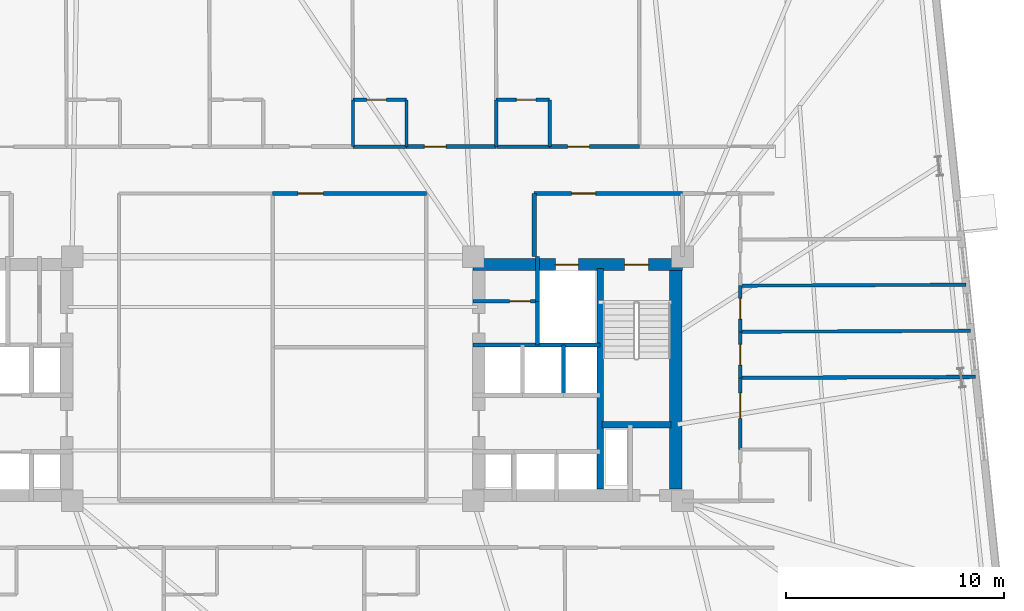
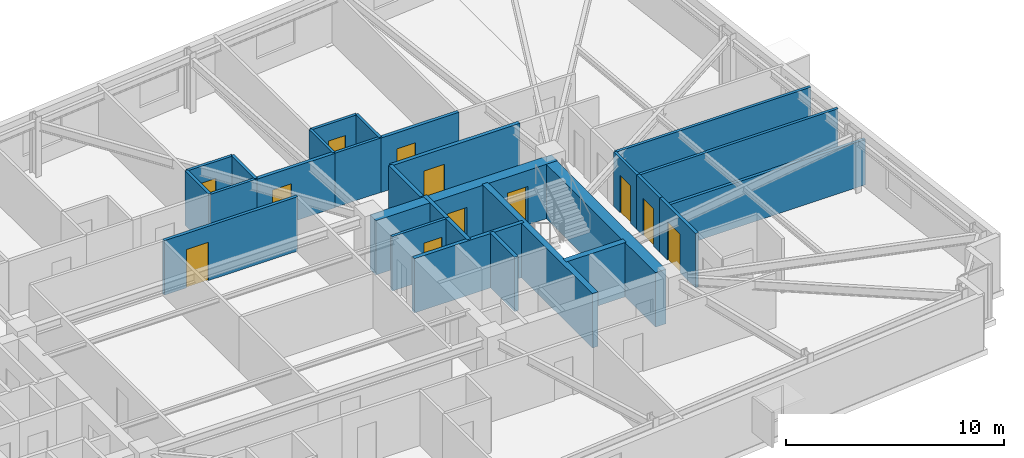
# One storey, part 15 of 20: 28 walls, 12 doors, 12 openings.
"""IFC4 building model written with IfcOpenShell, lengths in metres."""

from ifc_helpers import new_model, si_unit, direction, frame, frame_2d, origin, place, context, subcontext, project, spatial, rectangle, extrude, material, layer, layer_set, type_object, element, fill, save


model = new_model("IFC4")

# Units and contexts
model_context = context("Model", 3, precision=1e-05, world=origin(), true_north=direction((0.0, 1.0)))
body_context = subcontext(model_context, "Body", "Model", "MODEL_VIEW")
ifc_project = project(units=[si_unit("LENGTHUNIT", "METRE"), si_unit("AREAUNIT", "SQUARE_METRE"), si_unit("VOLUMEUNIT", "CUBIC_METRE"), si_unit("PLANEANGLEUNIT", "RADIAN"), si_unit("MASSUNIT", "GRAM", prefix="KILO")], contexts=[model_context])

# Site, building, storey
site_placement = place(None, origin())
site = spatial("IfcSite", under=ifc_project, at=site_placement, CompositionType="ELEMENT")
building_placement = place(site_placement, origin())
building = spatial("IfcBuilding", under=site, at=building_placement, Name="Qobustan Lattice House", CompositionType="ELEMENT")
storey_placement = place(building_placement, frame((0.0, 0.0, 89.050048828125)))
storey = spatial("IfcBuildingStorey", under=building, at=storey_placement, Name="L24", CompositionType="ELEMENT", Elevation=89.050048828125)

# Wall, openings, doors
ifc_material_1 = material(Name="Concrete C60/75", Category="concrete")
ifc_layer_1 = layer(ifc_material_1, 0.56005859375)
ifc_layer_set_1 = layer_set([ifc_layer_1], Name="Concrete C60/75")
wall_type_1 = type_object("IfcWallType", Name="WAL-CORE-600", PredefinedType="SHEAR", material=ifc_layer_set_1)
wall_1_placement = place(storey_placement, frame((9.199951171875, 5.239990234375, 0.0), z_axis=(0.0, 0.0, 1.0), x_axis=(1.0, 0.0, 0.0)))
wall_1 = element("IfcWall", 1, at=wall_1_placement, inside=storey, type_object=wall_type_1, Name="L24 split-core shear wall CE-N", PredefinedType="SHEAR", context=body_context, shape_type="SweptSolid", body=[
    extrude(rectangle(XDim=9.60009765625, YDim=0.56005859375, at=frame_2d((4.800048828125, 0.0))), origin(), (0.0, 0.0, 1.0), 3.044921875),
])
opening_1_placement = place(wall_1_placement, frame((6.949951171875, 0.0, 0.0)))
opening_1 = element("IfcOpeningElement", 2, at=opening_1_placement, cuts=wall_1, Name="Opening SD-01", PredefinedType="OPENING", context=body_context, shape_type="SweptSolid", body=[
    extrude(rectangle(XDim=1.10009765625, YDim=2.14990234375, at=frame_2d((0.550048828125, 1.074951171875))), frame((0.0, 0.2900390625, 0.0), z_axis=(0.0, -1.0, 0.0), x_axis=(1.0, 0.0, 0.0)), (0.0, 0.0, 1.0), 0.580078125),
])
opening_2_placement = place(wall_1_placement, frame((3.77490234375, 0.0, 0.0)))
opening_2 = element("IfcOpeningElement", 3, at=opening_2_placement, cuts=wall_1, Name="Opening LD-01", PredefinedType="OPENING", context=body_context, shape_type="SweptSolid", body=[
    extrude(rectangle(XDim=1.050048828125, YDim=2.10009765625, at=frame_2d((0.52490234375, 1.050048828125))), frame((0.0, 0.2900390625, 0.0), z_axis=(0.0, -1.0, 0.0), x_axis=(1.0, 0.0, 0.0)), (0.0, 0.0, 1.0), 0.580078125),
])
ifc_material_2 = material(Name="Persian walnut timber and steel frame door", Category="steel")
door_type_1 = type_object("IfcDoorType", Name="DOR-LIFT-LD-1050x2100", OperationType="NOTDEFINED", PredefinedType="DOOR", material=ifc_material_2)
door_1_placement = place(opening_2_placement, origin())
door_1 = element("IfcDoor", 4, at=door_1_placement, inside=storey, type_object=door_type_1, Name="L24 firefighting lift FF-E landing door", OperationType="DOUBLE_DOOR_SLIDING", OverallHeight=2.10009765625, OverallWidth=1.050048828125, PredefinedType="DOOR", context=body_context, shape_type="SweptSolid", body=[
    extrude(rectangle(XDim=1.050048828125, YDim=2.10009765625, at=frame_2d((0.52490234375, 1.050048828125))), frame((0.0, 0.02490234375, 0.0), z_axis=(0.0, -1.0, 0.0), x_axis=(1.0, 0.0, 0.0)), (0.0, 0.0, 1.0), 0.050048828125),
])
fill(opening_2, door_1)
ifc_material_3 = material(Name="Persian walnut timber and steel frame door", Category="steel")
door_type_2 = type_object("IfcDoorType", Name="DOR-STAIR-FD-1100x2150", OperationType="NOTDEFINED", PredefinedType="DOOR", material=ifc_material_3)
door_2_placement = place(opening_1_placement, origin())
door_2 = element("IfcDoor", 5, at=door_2_placement, inside=storey, type_object=door_type_2, Name="L24 exit stair ST-E1 fire door", OperationType="SINGLE_SWING_RIGHT", OverallHeight=2.14990234375, OverallWidth=1.10009765625, PredefinedType="DOOR", context=body_context, shape_type="SweptSolid", body=[
    extrude(rectangle(XDim=1.10009765625, YDim=2.14990234375, at=frame_2d((0.550048828125, 1.074951171875))), frame((0.0, 0.02490234375, 0.0), z_axis=(0.0, -1.0, 0.0), x_axis=(1.0, 0.0, 0.0)), (0.0, 0.0, 1.0), 0.050048828125),
])
fill(opening_1, door_2)

# Walls
wall_2_placement = place(storey_placement, frame((18.489990234375, -5.050048828125, 0.0), z_axis=(0.0, 0.0, 1.0), x_axis=(0.0, 1.0, 0.0)))
element("IfcWall", 6, at=wall_2_placement, inside=storey, type_object=wall_type_1, Name="L24 split-core shear wall CE-E", PredefinedType="SHEAR", context=body_context, shape_type="SweptSolid", body=[
    extrude(rectangle(XDim=10.10009765625, YDim=0.56005859375, at=frame_2d((5.050048828125, 0.0))), origin(), (0.0, 0.0, 1.0), 3.044921875),
])
ifc_material_4 = material(Name="Concrete C50/60", Category="concrete")
ifc_layer_2 = layer(ifc_material_4, 0.280029296875)
ifc_layer_set_2 = layer_set([ifc_layer_2], Name="Concrete C50/60")
wall_type_2 = type_object("IfcWallType", Name="WAL-CORE-SPINE-280", PredefinedType="SHEAR", material=ifc_layer_set_2)
wall_3_placement = place(storey_placement, frame((15.02001953125, -5.050048828125, 0.0), z_axis=(0.0, 0.0, 1.0), x_axis=(0.0, 1.0, 0.0)))
element("IfcWall", 7, at=wall_3_placement, inside=storey, type_object=wall_type_2, Name="L24 split-core shear wall CE-M", PredefinedType="SHEAR", context=body_context, shape_type="SweptSolid", body=[
    extrude(rectangle(XDim=10.10009765625, YDim=0.300048828125, at=frame_2d((5.050048828125, 0.0))), origin(), (0.0, 0.0, 1.0), 3.044921875),
])
wall_4_placement = place(storey_placement, frame((15.10009765625, -2.110107421875, 0.0), z_axis=(0.0, 0.0, 1.0), x_axis=(1.0, 0.0, 0.0)))
element("IfcWall", 8, at=wall_4_placement, inside=storey, type_object=wall_type_2, Name="L24 split-core shear wall CE-ST", PredefinedType="SHEAR", context=body_context, shape_type="SweptSolid", body=[
    extrude(rectangle(XDim=3.179931640625, YDim=0.300048828125, at=frame_2d((1.58984375, 0.0))), origin(), (0.0, 0.0, 1.0), 3.044921875),
])

# Wall, opening, door
ifc_material_5 = material(Name="Gypsum fireboard acoustic partition", Category="gypsum")
ifc_layer_3 = layer(ifc_material_5, 0.179931640625)
ifc_layer_set_3 = layer_set([ifc_layer_3], Name="Gypsum fireboard acoustic partition")
wall_type_3 = type_object("IfcWallType", Name="WAL-FIRE-180", PredefinedType="PARTITIONING", material=ifc_layer_set_3)
wall_5_placement = place(storey_placement, frame((6.135986328125, 10.64990234375, 0.0), z_axis=(0.0, 0.0, 1.0), x_axis=(1.0, 0.0, 0.0)))
wall_5 = element("IfcWall", 9, at=wall_5_placement, inside=storey, type_object=wall_type_3, Name="L24 interior partition 51", PredefinedType="PARTITIONING", context=body_context, shape_type="SweptSolid", body=[
    extrude(rectangle(XDim=4.12109375, YDim=0.179931640625, at=frame_2d((2.060546875, 0.0))), origin(), (0.0, 0.0, 1.0), 3.044921875),
])
opening_3_placement = place(wall_5_placement, frame((0.8251953125, 0.0, 0.0)))
opening_3 = element("IfcOpeningElement", 10, at=opening_3_placement, cuts=wall_5, Name="Opening FD-02", PredefinedType="OPENING", context=body_context, shape_type="SweptSolid", body=[
    extrude(rectangle(XDim=1.0, YDim=2.14990234375, at=frame_2d((0.5, 1.074951171875))), frame((0.0, 0.099853515625, 0.0), z_axis=(0.0, -1.0, 0.0), x_axis=(1.0, 0.0, 0.0)), (0.0, 0.0, 1.0), 0.199951171875),
])
ifc_material_6 = material(Name="Persian walnut timber and steel frame door", Category="steel")
door_type_3 = type_object("IfcDoorType", Name="DOR-UNIT-FD-1000x2150", OperationType="NOTDEFINED", PredefinedType="DOOR", material=ifc_material_6)
door_3_placement = place(opening_3_placement, origin())
door_3 = element("IfcDoor", 11, at=door_3_placement, inside=storey, type_object=door_type_3, Name="L24 North-east floor corridor to Kitchenette and studio apartment L24-N5 door", OperationType="SINGLE_SWING_RIGHT", OverallHeight=2.14990234375, OverallWidth=1.0, PredefinedType="DOOR", context=body_context, shape_type="SweptSolid", body=[
    extrude(rectangle(XDim=1.0, YDim=2.14990234375, at=frame_2d((0.5, 1.074951171875))), frame((0.0, 0.02490234375, 0.0), z_axis=(0.0, -1.0, 0.0), x_axis=(1.0, 0.0, 0.0)), (0.0, 0.0, 1.0), 0.050048828125),
])
fill(opening_3, door_3)

wall_6_placement = place(storey_placement, frame((12.70703125, 10.64990234375, 0.0), z_axis=(0.0, 0.0, 1.0), x_axis=(1.0, 0.0, 0.0)))
wall_6 = element("IfcWall", 12, at=wall_6_placement, inside=storey, type_object=wall_type_3, Name="L24 interior partition 53", PredefinedType="PARTITIONING", context=body_context, shape_type="SweptSolid", body=[
    extrude(rectangle(XDim=4.1220703125, YDim=0.179931640625, at=frame_2d((2.06103515625, 0.0))), origin(), (0.0, 0.0, 1.0), 3.044921875),
])
opening_4_placement = place(wall_6_placement, frame((0.8251953125, 0.0, 0.0)))
opening_4 = element("IfcOpeningElement", 13, at=opening_4_placement, cuts=wall_6, Name="Opening FD-02", PredefinedType="OPENING", context=body_context, shape_type="SweptSolid", body=[
    extrude(rectangle(XDim=1.0, YDim=2.14990234375, at=frame_2d((0.5, 1.074951171875))), frame((0.0, 0.099853515625, 0.0), z_axis=(0.0, -1.0, 0.0), x_axis=(1.0, 0.0, 0.0)), (0.0, 0.0, 1.0), 0.199951171875),
])
door_4_placement = place(opening_4_placement, origin())
door_4 = element("IfcDoor", 14, at=door_4_placement, inside=storey, type_object=door_type_3, Name="L24 North-east floor corridor to Kitchenette and studio apartment L24-N6 door", OperationType="SINGLE_SWING_LEFT", OverallHeight=2.14990234375, OverallWidth=1.0, PredefinedType="DOOR", context=body_context, shape_type="SweptSolid", body=[
    extrude(rectangle(XDim=1.0, YDim=2.14990234375, at=frame_2d((0.5, 1.074951171875))), frame((0.0, 0.02490234375, 0.0), z_axis=(0.0, -1.0, 0.0), x_axis=(1.0, 0.0, 0.0)), (0.0, 0.0, 1.0), 0.050048828125),
])
fill(opening_4, door_4)

ifc_material_7 = material(Name="Acoustic twin-stud gypsum partition", Category="gypsum")
ifc_layer_4 = layer(ifc_material_7, 0.14990234375)
ifc_layer_set_4 = layer_set([ifc_layer_4], Name="Acoustic twin-stud gypsum partition")
wall_type_4 = type_object("IfcWallType", Name="WAL-PART-150", PredefinedType="PARTITIONING", material=ifc_layer_set_4)
wall_7_placement = place(storey_placement, frame((12.14990234375, 3.550048828125, 0.0), z_axis=(0.0, 0.0, 1.0), x_axis=(-1.0, 0.0, 0.0)))
wall_7 = element("IfcWall", 15, at=wall_7_placement, inside=storey, type_object=wall_type_4, Name="L24 interior partition 25", PredefinedType="PARTITIONING", context=body_context, shape_type="SweptSolid", body=[
    extrude(rectangle(XDim=2.949951171875, YDim=0.14990234375, at=frame_2d((1.47509765625, 0.0))), origin(), (0.0, 0.0, 1.0), 3.044921875),
])
opening_5_placement = place(wall_7_placement, frame((0.324951171875, 0.0, 0.0)))
opening_5 = element("IfcOpeningElement", 16, at=opening_5_placement, cuts=wall_7, Name="Opening ID-01", PredefinedType="OPENING", context=body_context, shape_type="SweptSolid", body=[
    extrude(rectangle(XDim=0.949951171875, YDim=2.10009765625, at=frame_2d((0.47509765625, 1.050048828125))), frame((0.0, 0.0849609375, 0.0), z_axis=(0.0, -1.0, 0.0), x_axis=(1.0, 0.0, 0.0)), (0.0, 0.0, 1.0), 0.169921875),
])
ifc_material_8 = material(Name="Persian walnut timber and steel frame door", Category="steel")
door_type_4 = type_object("IfcDoorType", Name="DOR-ROOM-950x2100", OperationType="NOTDEFINED", PredefinedType="DOOR", material=ifc_material_8)
door_5_placement = place(opening_5_placement, origin())
door_5 = element("IfcDoor", 17, at=door_5_placement, inside=storey, type_object=door_type_4, Name="L24 Housekeeping utility foyer to Cleaner cupboard door", OperationType="SINGLE_SWING_RIGHT", OverallHeight=2.10009765625, OverallWidth=0.949951171875, PredefinedType="DOOR", context=body_context, shape_type="SweptSolid", body=[
    extrude(rectangle(XDim=0.949951171875, YDim=2.10009765625, at=frame_2d((0.47509765625, 1.050048828125))), frame((0.0, 0.02490234375, 0.0), z_axis=(0.0, -1.0, 0.0), x_axis=(1.0, 0.0, 0.0)), (0.0, 0.0, 1.0), 0.050048828125),
])
fill(opening_5, door_5)

wall_8_placement = place(storey_placement, frame((21.449951171875, 2.155029296875, 0.0), z_axis=(0.0, 0.0, 1.0), x_axis=(0.0, -1.0, 0.0)))
wall_8 = element("IfcWall", 18, at=wall_8_placement, inside=storey, type_object=wall_type_4, Name="L24 interior partition 87", PredefinedType="PARTITIONING", context=body_context, shape_type="SweptSolid", body=[
    extrude(rectangle(XDim=2.114990234375, YDim=0.14990234375, at=frame_2d((1.0576171875, 0.0))), origin(), (0.0, 0.0, 1.0), 3.044921875),
])
opening_6_placement = place(wall_8_placement, frame((0.58251953125, 0.0, 0.0)))
opening_6 = element("IfcOpeningElement", 19, at=opening_6_placement, cuts=wall_8, Name="Opening ID-01", PredefinedType="OPENING", context=body_context, shape_type="SweptSolid", body=[
    extrude(rectangle(XDim=0.949951171875, YDim=2.10009765625, at=frame_2d((0.47509765625, 1.050048828125))), frame((0.0, 0.0849609375, 0.0), z_axis=(0.0, -1.0, 0.0), x_axis=(1.0, 0.0, 0.0)), (0.0, 0.0, 1.0), 0.169921875),
])
door_6_placement = place(opening_6_placement, origin())
door_6 = element("IfcDoor", 20, at=door_6_placement, inside=storey, type_object=door_type_4, Name="L24 Residence entrance hall L24E to Cluster bedroom L24E1 door", OperationType="SINGLE_SWING_LEFT", OverallHeight=2.10009765625, OverallWidth=0.949951171875, PredefinedType="DOOR", context=body_context, shape_type="SweptSolid", body=[
    extrude(rectangle(XDim=0.949951171875, YDim=2.10009765625, at=frame_2d((0.47509765625, 1.050048828125))), frame((0.0, 0.02490234375, 0.0), z_axis=(0.0, -1.0, 0.0), x_axis=(1.0, 0.0, 0.0)), (0.0, 0.0, 1.0), 0.050048828125),
])
fill(opening_6, door_6)

wall_9_placement = place(storey_placement, frame((21.449951171875, 4.27001953125, 0.0), z_axis=(0.0, 0.0, 1.0), x_axis=(0.0, -1.0, 0.0)))
wall_9 = element("IfcWall", 21, at=wall_9_placement, inside=storey, type_object=wall_type_4, Name="L24 interior partition 88", PredefinedType="PARTITIONING", context=body_context, shape_type="SweptSolid", body=[
    extrude(rectangle(XDim=2.114990234375, YDim=0.14990234375, at=frame_2d((1.0576171875, 0.0))), origin(), (0.0, 0.0, 1.0), 3.044921875),
])
opening_7_placement = place(wall_9_placement, frame((0.58251953125, 0.0, 0.0)))
opening_7 = element("IfcOpeningElement", 22, at=opening_7_placement, cuts=wall_9, Name="Opening ID-01", PredefinedType="OPENING", context=body_context, shape_type="SweptSolid", body=[
    extrude(rectangle(XDim=0.949951171875, YDim=2.10009765625, at=frame_2d((0.47509765625, 1.050048828125))), frame((0.0, 0.0849609375, 0.0), z_axis=(0.0, -1.0, 0.0), x_axis=(1.0, 0.0, 0.0)), (0.0, 0.0, 1.0), 0.169921875),
])
door_7_placement = place(opening_7_placement, origin())
door_7 = element("IfcDoor", 23, at=door_7_placement, inside=storey, type_object=door_type_4, Name="L24 Residence entrance hall L24E to Cluster bedroom L24E2 door", OperationType="SINGLE_SWING_RIGHT", OverallHeight=2.10009765625, OverallWidth=0.949951171875, PredefinedType="DOOR", context=body_context, shape_type="SweptSolid", body=[
    extrude(rectangle(XDim=0.949951171875, YDim=2.10009765625, at=frame_2d((0.47509765625, 1.050048828125))), frame((0.0, 0.02490234375, 0.0), z_axis=(0.0, -1.0, 0.0), x_axis=(1.0, 0.0, 0.0)), (0.0, 0.0, 1.0), 0.050048828125),
])
fill(opening_7, door_7)

# Walls
wall_10_placement = place(storey_placement, frame((21.449951171875, 2.155029296875, 0.0), z_axis=(0.0, 0.0, 1.0), x_axis=(0.999991365588, 0.004155568413, 0.0)))
element("IfcWall", 24, at=wall_10_placement, inside=storey, type_object=wall_type_4, Name="L24 interior partition 94", PredefinedType="PARTITIONING", context=body_context, shape_type="SweptSolid", body=[
    extrude(rectangle(XDim=10.574951171875, YDim=0.14990234375, at=frame_2d((5.28759765625, 0.0))), origin(), (0.0, 0.0, 1.0), 3.044921875),
])
wall_11_placement = place(storey_placement, frame((21.449951171875, 4.27001953125, 0.0), z_axis=(0.0, 0.0, 1.0), x_axis=(0.999990991033, 0.004244744214, 0.0)))
element("IfcWall", 25, at=wall_11_placement, inside=storey, type_object=wall_type_4, Name="L24 interior partition 95", PredefinedType="PARTITIONING", context=body_context, shape_type="SweptSolid", body=[
    extrude(rectangle(XDim=10.352783203125, YDim=0.14990234375, at=frame_2d((5.17626953125, 0.0))), origin(), (0.0, 0.0, 1.0), 3.044921875),
])

# Wall, opening, door
ifc_material_9 = material(Name="High-mass acoustic twin-stud partition", Category="gypsum")
ifc_layer_5 = layer(ifc_material_9, 0.1650390625)
ifc_layer_set_5 = layer_set([ifc_layer_5], Name="High-mass acoustic twin-stud partition")
wall_type_5 = type_object("IfcWallType", Name="WAL-PART-165", PredefinedType="PARTITIONING", material=ifc_layer_set_5)
wall_12_placement = place(storey_placement, frame((7.050048828125, 8.5, 0.0), z_axis=(0.0, 0.0, 1.0), x_axis=(-1.0, 0.0, 0.0)))
wall_12 = element("IfcWall", 26, at=wall_12_placement, inside=storey, type_object=wall_type_5, Name="L24 interior partition 56", PredefinedType="PARTITIONING", context=body_context, shape_type="SweptSolid", body=[
    extrude(rectangle(XDim=7.050048828125, YDim=0.1650390625, at=frame_2d((3.52490234375, 0.0))), origin(), (0.0, 0.0, 1.0), 3.044921875),
])
opening_8_placement = place(wall_12_placement, frame((4.7275390625, 0.0, 0.0)))
opening_8 = element("IfcOpeningElement", 27, at=opening_8_placement, cuts=wall_12, Name="Opening ID-03", PredefinedType="OPENING", context=body_context, shape_type="SweptSolid", body=[
    extrude(rectangle(XDim=1.14990234375, YDim=2.14990234375, at=frame_2d((0.574951171875, 1.074951171875))), frame((0.0, 0.092529296875, 0.0), z_axis=(0.0, -1.0, 0.0), x_axis=(1.0, 0.0, 0.0)), (0.0, 0.0, 1.0), 0.18505859375),
])
ifc_material_10 = material(Name="Persian walnut timber and steel frame door", Category="steel")
door_type_5 = type_object("IfcDoorType", Name="DOR-KITCH-1150x2150", OperationType="NOTDEFINED", PredefinedType="DOOR", material=ifc_material_10)
door_8_placement = place(opening_8_placement, origin())
door_8 = element("IfcDoor", 28, at=door_8_placement, inside=storey, type_object=door_type_5, Name="L24 North-east floor corridor to Communal kitchen dining door", OperationType="SINGLE_SWING_LEFT", OverallHeight=2.14990234375, OverallWidth=1.14990234375, PredefinedType="DOOR", context=body_context, shape_type="SweptSolid", body=[
    extrude(rectangle(XDim=1.14990234375, YDim=2.14990234375, at=frame_2d((0.574951171875, 1.074951171875))), frame((0.0, 0.02490234375, 0.0), z_axis=(0.0, -1.0, 0.0), x_axis=(1.0, 0.0, 0.0)), (0.0, 0.0, 1.0), 0.050048828125),
])
fill(opening_8, door_8)

wall_13_placement = place(storey_placement, frame((21.449951171875, 0.0400390625, 0.0), z_axis=(0.0, 0.0, 1.0), x_axis=(0.0, -1.0, 0.0)))
wall_13 = element("IfcWall", 29, at=wall_13_placement, inside=storey, type_object=wall_type_5, Name="L24 interior partition 86", PredefinedType="PARTITIONING", context=body_context, shape_type="SweptSolid", body=[
    extrude(rectangle(XDim=3.2900390625, YDim=0.1650390625, at=frame_2d((1.64501953125, 0.0))), origin(), (0.0, 0.0, 1.0), 3.044921875),
])
opening_9_placement = place(wall_13_placement, frame((0.702392578125, 0.0, 0.0)))
opening_9 = element("IfcOpeningElement", 30, at=opening_9_placement, cuts=wall_13, Name="Opening ID-03", PredefinedType="OPENING", context=body_context, shape_type="SweptSolid", body=[
    extrude(rectangle(XDim=1.14990234375, YDim=2.14990234375, at=frame_2d((0.574951171875, 1.074951171875))), frame((0.0, 0.092529296875, 0.0), z_axis=(0.0, -1.0, 0.0), x_axis=(1.0, 0.0, 0.0)), (0.0, 0.0, 1.0), 0.18505859375),
])
door_9_placement = place(opening_9_placement, origin())
door_9 = element("IfcDoor", 31, at=door_9_placement, inside=storey, type_object=door_type_5, Name="L24 Residence entrance hall L24E to Shared kitchen L24E door", OperationType="SINGLE_SWING_RIGHT", OverallHeight=2.14990234375, OverallWidth=1.14990234375, PredefinedType="DOOR", context=body_context, shape_type="SweptSolid", body=[
    extrude(rectangle(XDim=1.14990234375, YDim=2.14990234375, at=frame_2d((0.574951171875, 1.074951171875))), frame((0.0, 0.02490234375, 0.0), z_axis=(0.0, -1.0, 0.0), x_axis=(1.0, 0.0, 0.0)), (0.0, 0.0, 1.0), 0.050048828125),
])
fill(opening_9, door_9)

# Wall
wall_14_placement = place(storey_placement, frame((21.449951171875, 0.0400390625, 0.0), z_axis=(0.0, 0.0, 1.0), x_axis=(0.999991717636, 0.004069970361, 0.0)))
element("IfcWall", 32, at=wall_14_placement, inside=storey, type_object=wall_type_5, Name="L24 interior partition 93", PredefinedType="PARTITIONING", context=body_context, shape_type="SweptSolid", body=[
    extrude(rectangle(XDim=10.79736328125, YDim=0.1650390625, at=frame_2d((5.398681640625, 0.0))), origin(), (0.0, 0.0, 1.0), 2.530029296875),
])

# Wall, opening, door
ifc_material_11 = material(Name="Two-hour gypsum fireboard acoustic partition", Category="gypsum")
ifc_layer_6 = layer(ifc_material_11, 0.199951171875)
ifc_layer_set_6 = layer_set([ifc_layer_6], Name="Two-hour gypsum fireboard acoustic partition")
wall_type_6 = type_object("IfcWallType", Name="WAL-PROT-200", PredefinedType="PARTITIONING", material=ifc_layer_set_6)
wall_15_placement = place(storey_placement, frame((18.800048828125, 8.5, 0.0), z_axis=(0.0, 0.0, 1.0), x_axis=(-1.0, 0.0, 0.0)))
wall_15 = element("IfcWall", 33, at=wall_15_placement, inside=storey, type_object=wall_type_6, Name="L24 interior partition 22", PredefinedType="PARTITIONING", context=body_context, shape_type="SweptSolid", body=[
    extrude(rectangle(XDim=6.800048828125, YDim=0.199951171875, at=frame_2d((3.39990234375, 0.0))), origin(), (0.0, 0.0, 1.0), 3.044921875),
])
opening_10_placement = place(wall_15_placement, frame((3.985107421875, 0.0, 0.0)))
opening_10 = element("IfcOpeningElement", 34, at=opening_10_placement, cuts=wall_15, Name="Opening SD-01", PredefinedType="OPENING", context=body_context, shape_type="SweptSolid", body=[
    extrude(rectangle(XDim=1.10009765625, YDim=2.14990234375, at=frame_2d((0.550048828125, 1.074951171875))), frame((0.0, 0.10986328125, 0.0), z_axis=(0.0, -1.0, 0.0), x_axis=(1.0, 0.0, 0.0)), (0.0, 0.0, 1.0), 0.219970703125),
])
door_10_placement = place(opening_10_placement, origin())
door_10 = element("IfcDoor", 35, at=door_10_placement, inside=storey, type_object=door_type_2, Name="L24 East firefighting lift lobby to North-east floor corridor door", OperationType="SINGLE_SWING_LEFT", OverallHeight=2.14990234375, OverallWidth=1.10009765625, PredefinedType="DOOR", context=body_context, shape_type="SweptSolid", body=[
    extrude(rectangle(XDim=1.10009765625, YDim=2.14990234375, at=frame_2d((0.550048828125, 1.074951171875))), frame((0.0, 0.02490234375, 0.0), z_axis=(0.0, -1.0, 0.0), x_axis=(1.0, 0.0, 0.0)), (0.0, 0.0, 1.0), 0.050048828125),
])
fill(opening_10, door_10)

# Walls
wall_16_placement = place(storey_placement, frame((12.0, 8.5, 0.0), z_axis=(0.0, 0.0, 1.0), x_axis=(0.0, -1.0, 0.0)))
element("IfcWall", 36, at=wall_16_placement, inside=storey, type_object=wall_type_6, Name="L24 interior partition 23", PredefinedType="PARTITIONING", context=body_context, shape_type="SweptSolid", body=[
    extrude(rectangle(XDim=2.89990234375, YDim=0.199951171875, at=frame_2d((1.449951171875, 0.0))), origin(), (0.0, 0.0, 1.0), 3.044921875),
])
ifc_material_12 = material(Name="Concrete C40/50", Category="concrete")
ifc_layer_7 = layer(ifc_material_12, 0.199951171875)
ifc_layer_set_7 = layer_set([ifc_layer_7], Name="Concrete C40/50")
wall_type_7 = type_object("IfcWallType", Name="WAL-SHAFT-200", PredefinedType="PARTITIONING", material=ifc_layer_set_7)
wall_17_placement = place(storey_placement, frame((12.14990234375, 3.550048828125, 0.0), z_axis=(0.0, 0.0, 1.0), x_axis=(0.0, -1.0, 0.0)))
element("IfcWall", 37, at=wall_17_placement, inside=storey, type_object=wall_type_7, Name="L24 interior partition 20", PredefinedType="PARTITIONING", context=body_context, shape_type="SweptSolid", body=[
    extrude(rectangle(XDim=2.0, YDim=0.199951171875, at=frame_2d((1.0, 0.0))), origin(), (0.0, 0.0, 1.0), 3.044921875),
])
wall_18_placement = place(storey_placement, frame((12.14990234375, 5.60009765625, 0.0), z_axis=(0.0, 0.0, 1.0), x_axis=(0.0, -1.0, 0.0)))
element("IfcWall", 38, at=wall_18_placement, inside=storey, type_object=wall_type_7, Name="L24 interior partition 21", PredefinedType="PARTITIONING", context=body_context, shape_type="SweptSolid", body=[
    extrude(rectangle(XDim=2.050048828125, YDim=0.199951171875, at=frame_2d((1.02490234375, 0.0))), origin(), (0.0, 0.0, 1.0), 3.044921875),
])
wall_19_placement = place(storey_placement, frame((13.340087890625, -0.75, 0.0), z_axis=(0.0, 0.0, 1.0), x_axis=(0.0, 1.0, 0.0)))
element("IfcWall", 39, at=wall_19_placement, inside=storey, type_object=wall_type_7, Name="L24 interior partition 37", PredefinedType="PARTITIONING", context=body_context, shape_type="SweptSolid", body=[
    extrude(rectangle(XDim=2.300048828125, YDim=0.199951171875, at=frame_2d((1.14990234375, 0.0))), origin(), (0.0, 0.0, 1.0), 3.044921875),
])
wall_20_placement = place(storey_placement, frame((9.199951171875, 1.550048828125, 0.0), z_axis=(0.0, 0.0, 1.0), x_axis=(1.0, 0.0, 0.0)))
element("IfcWall", 40, at=wall_20_placement, inside=storey, type_object=wall_type_7, Name="L24 interior partition 134", PredefinedType="PARTITIONING", context=body_context, shape_type="SweptSolid", body=[
    extrude(rectangle(XDim=5.820068359375, YDim=0.199951171875, at=frame_2d((2.91015625, 0.0))), origin(), (0.0, 0.0, 1.0), 3.044921875),
])
ifc_material_13 = material(Name="Moisture-resistant acoustic plumbing wall", Category="gypsum")
ifc_layer_8 = layer(ifc_material_13, 0.14990234375)
ifc_layer_set_8 = layer_set([ifc_layer_8], Name="Moisture-resistant acoustic plumbing wall")
wall_type_8 = type_object("IfcWallType", Name="WAL-WET-150", PredefinedType="PLUMBINGWALL", material=ifc_layer_set_8)
for number, where, z_axis, x_axis, name in (
    (41, (3.68603515625, 10.64990234375, 0.0), (0.0, 0.0, 1.0), (1.0, 0.0, 0.0), "L24 interior partition 52"),
    (42, (10.257080078125, 10.64990234375, 0.0), (0.0, 0.0, 1.0), (1.0, 0.0, 0.0), "L24 interior partition 54"),
):
    element("IfcWall", number, at=place(storey_placement, frame(where, z_axis=z_axis, x_axis=x_axis)), inside=storey, type_object=wall_type_8, Name=name, PredefinedType="PLUMBINGWALL", context=body_context, shape_type="SweptSolid", body=[
        extrude(rectangle(XDim=2.449951171875, YDim=0.14990234375, at=frame_2d((1.22509765625, 0.0))), origin(), (0.0, 0.0, 1.0), 3.044921875),
    ])
wall_21_placement = place(storey_placement, frame((3.68603515625, 12.800048828125, 0.0), z_axis=(0.0, 0.0, 1.0), x_axis=(0.0, -1.0, 0.0)))
element("IfcWall", 43, at=wall_21_placement, inside=storey, type_object=wall_type_8, Name="L24 interior partition 108", PredefinedType="PLUMBINGWALL", context=body_context, shape_type="SweptSolid", body=[
    extrude(rectangle(XDim=2.150146484375, YDim=0.14990234375, at=frame_2d((1.0751953125, 0.0))), origin(), (0.0, 0.0, 1.0), 3.044921875),
])

# Wall, opening, door
wall_22_placement = place(storey_placement, frame((6.135986328125, 12.800048828125, 0.0), z_axis=(0.0, 0.0, 1.0), x_axis=(-1.0, 0.0, 0.0)))
wall_22 = element("IfcWall", 44, at=wall_22_placement, inside=storey, type_object=wall_type_8, Name="L24 interior partition 109", PredefinedType="PLUMBINGWALL", context=body_context, shape_type="SweptSolid", body=[
    extrude(rectangle(XDim=2.449951171875, YDim=0.14990234375, at=frame_2d((1.22509765625, 0.0))), origin(), (0.0, 0.0, 1.0), 3.044921875),
])
opening_11_placement = place(wall_22_placement, frame((0.92138671875, 0.0, 0.0)))
opening_11 = element("IfcOpeningElement", 45, at=opening_11_placement, cuts=wall_22, Name="Opening WD-01", PredefinedType="OPENING", context=body_context, shape_type="SweptSolid", body=[
    extrude(rectangle(XDim=0.89990234375, YDim=2.10009765625, at=frame_2d((0.449951171875, 1.050048828125))), frame((0.0, 0.0849609375, 0.0), z_axis=(0.0, -1.0, 0.0), x_axis=(1.0, 0.0, 0.0)), (0.0, 0.0, 1.0), 0.169921875),
])
ifc_material_14 = material(Name="Persian walnut timber and steel frame door", Category="steel")
door_type_6 = type_object("IfcDoorType", Name="DOR-WET-900x2100", OperationType="NOTDEFINED", PredefinedType="DOOR", material=ifc_material_14)
door_11_placement = place(opening_11_placement, origin())
door_11 = element("IfcDoor", 46, at=door_11_placement, inside=storey, type_object=door_type_6, Name="L24 Kitchenette and studio apartment L24-N5 to En-suite bathroom L24-N5 door", OperationType="SINGLE_SWING_LEFT", OverallHeight=2.10009765625, OverallWidth=0.89990234375, PredefinedType="DOOR", context=body_context, shape_type="SweptSolid", body=[
    extrude(rectangle(XDim=0.89990234375, YDim=2.10009765625, at=frame_2d((0.449951171875, 1.050048828125))), frame((0.0, 0.02490234375, 0.0), z_axis=(0.0, -1.0, 0.0), x_axis=(1.0, 0.0, 0.0)), (0.0, 0.0, 1.0), 0.050048828125),
])
fill(opening_11, door_11)

# Walls
for number, where, z_axis, x_axis, name in (
    (47, (6.135986328125, 10.64990234375, 0.0), (0.0, 0.0, 1.0), (0.0, 1.0, 0.0), "L24 interior partition 110"),
    (48, (10.257080078125, 12.800048828125, 0.0), (0.0, 0.0, 1.0), (0.0, -1.0, 0.0), "L24 interior partition 112"),
):
    element("IfcWall", number, at=place(storey_placement, frame(where, z_axis=z_axis, x_axis=x_axis)), inside=storey, type_object=wall_type_8, Name=name, PredefinedType="PLUMBINGWALL", context=body_context, shape_type="SweptSolid", body=[
        extrude(rectangle(XDim=2.150146484375, YDim=0.14990234375, at=frame_2d((1.0751953125, 0.0))), origin(), (0.0, 0.0, 1.0), 3.044921875),
    ])

# Wall, opening, door
wall_23_placement = place(storey_placement, frame((12.70703125, 12.800048828125, 0.0), z_axis=(0.0, 0.0, 1.0), x_axis=(-1.0, 0.0, 0.0)))
wall_23 = element("IfcWall", 49, at=wall_23_placement, inside=storey, type_object=wall_type_8, Name="L24 interior partition 113", PredefinedType="PLUMBINGWALL", context=body_context, shape_type="SweptSolid", body=[
    extrude(rectangle(XDim=2.449951171875, YDim=0.14990234375, at=frame_2d((1.22509765625, 0.0))), origin(), (0.0, 0.0, 1.0), 3.044921875),
])
opening_12_placement = place(wall_23_placement, frame((0.62890625, 0.0, 0.0)))
opening_12 = element("IfcOpeningElement", 50, at=opening_12_placement, cuts=wall_23, Name="Opening WD-01", PredefinedType="OPENING", context=body_context, shape_type="SweptSolid", body=[
    extrude(rectangle(XDim=0.89990234375, YDim=2.10009765625, at=frame_2d((0.449951171875, 1.050048828125))), frame((0.0, 0.0849609375, 0.0), z_axis=(0.0, -1.0, 0.0), x_axis=(1.0, 0.0, 0.0)), (0.0, 0.0, 1.0), 0.169921875),
])
door_12_placement = place(opening_12_placement, origin())
door_12 = element("IfcDoor", 51, at=door_12_placement, inside=storey, type_object=door_type_6, Name="L24 Kitchenette and studio apartment L24-N6 to En-suite bathroom L24-N6 door", OperationType="SINGLE_SWING_RIGHT", OverallHeight=2.10009765625, OverallWidth=0.89990234375, PredefinedType="DOOR", context=body_context, shape_type="SweptSolid", body=[
    extrude(rectangle(XDim=0.89990234375, YDim=2.10009765625, at=frame_2d((0.449951171875, 1.050048828125))), frame((0.0, 0.02490234375, 0.0), z_axis=(0.0, -1.0, 0.0), x_axis=(1.0, 0.0, 0.0)), (0.0, 0.0, 1.0), 0.050048828125),
])
fill(opening_12, door_12)

# Wall
wall_24_placement = place(storey_placement, frame((12.70703125, 10.64990234375, 0.0), z_axis=(0.0, 0.0, 1.0), x_axis=(0.0, 1.0, 0.0)))
element("IfcWall", 52, at=wall_24_placement, inside=storey, type_object=wall_type_8, Name="L24 interior partition 114", PredefinedType="PLUMBINGWALL", context=body_context, shape_type="SweptSolid", body=[
    extrude(rectangle(XDim=2.150146484375, YDim=0.14990234375, at=frame_2d((1.0751953125, 0.0))), origin(), (0.0, 0.0, 1.0), 3.044921875),
])

save(model, "model.ifc")
